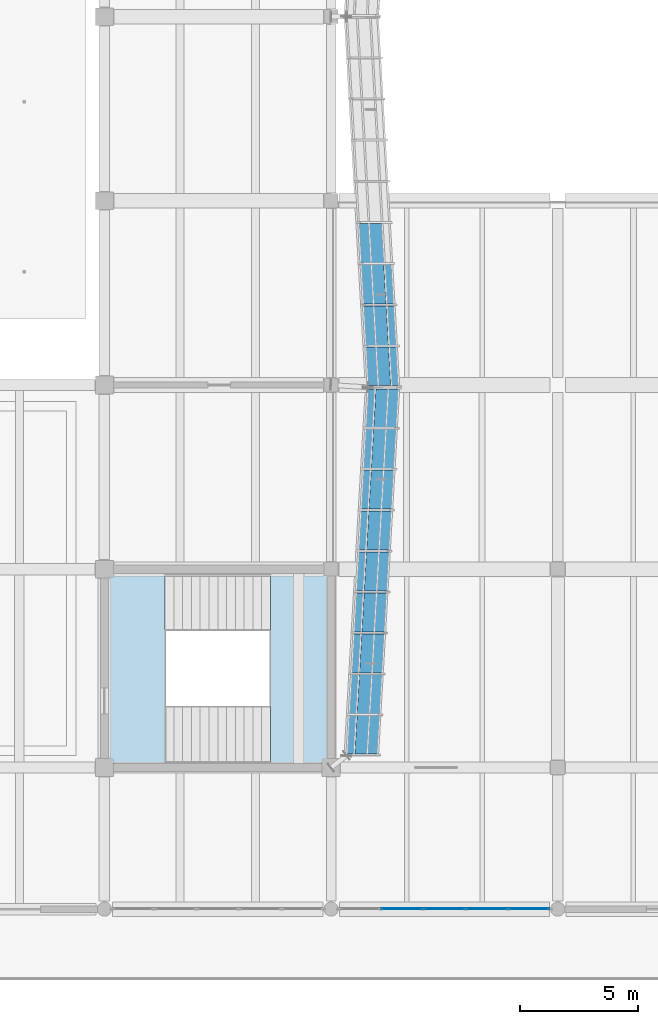
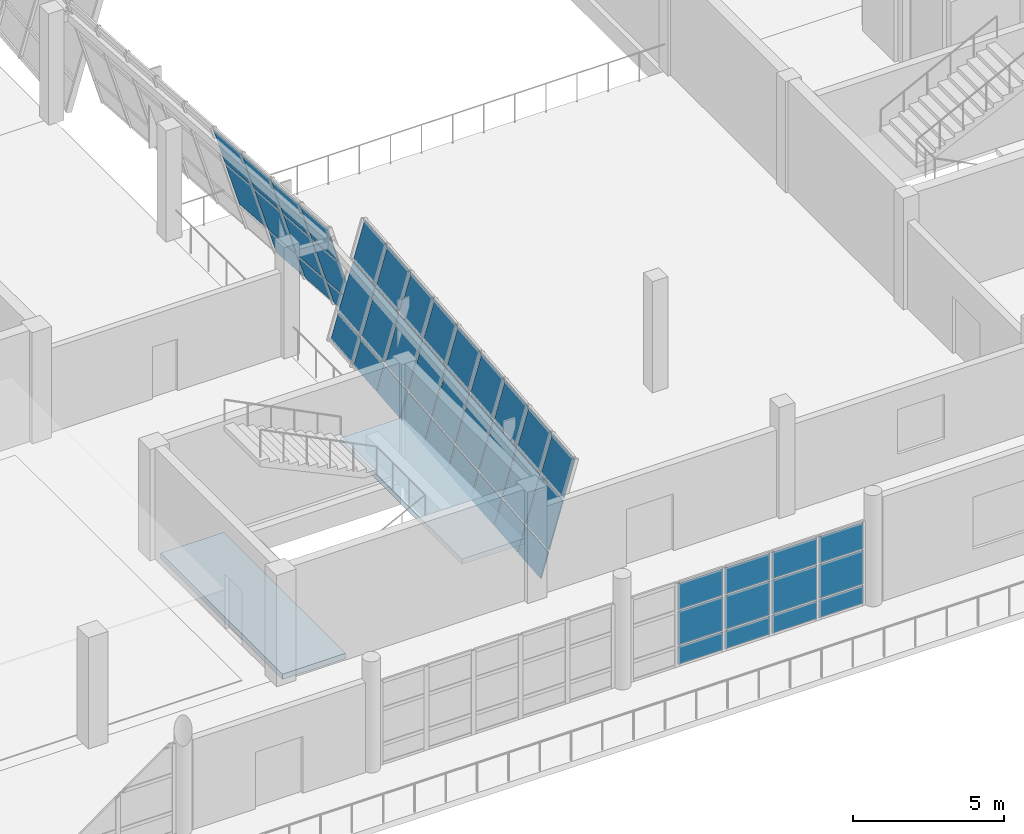
# One storey, part 41 of 71: 50 plates, 2 slabs, 4 elements without a shape of their own.
"""IFC4 building model written with IfcOpenShell, lengths in metres."""

from ifc_helpers import new_model, si_unit, direction, frame, origin, place, context, subcontext, project, spatial, polyline, outline, extrude, material, layer, layer_set, type_object, element, aggregate, save


model = new_model("IFC4")

# Units and contexts
model_context = context("Model", 3, precision=1e-05, world=origin(), true_north=direction((0.0, 1.0)))
body_context = subcontext(model_context, "Body", "Model", "MODEL_VIEW")
ifc_project = project(units=[si_unit("LENGTHUNIT", "METRE"), si_unit("AREAUNIT", "SQUARE_METRE"), si_unit("VOLUMEUNIT", "CUBIC_METRE"), si_unit("PLANEANGLEUNIT", "RADIAN"), si_unit("MASSUNIT", "GRAM", prefix="KILO")], contexts=[model_context])

# Site, building, storey
site_placement = place(None, origin())
site = spatial("IfcSite", under=ifc_project, at=site_placement, CompositionType="ELEMENT")
building_placement = place(site_placement, origin())
building = spatial("IfcBuilding", under=site, at=building_placement, Name="Pellamere Symphony Hall", CompositionType="ELEMENT")
storey_placement = place(building_placement, frame((0.0, 0.0, 15.0)))
storey = spatial("IfcBuildingStorey", under=building, at=storey_placement, Name="L03", CompositionType="ELEMENT", Elevation=15.0)

# Curtain wall, plates
ifc_material_1 = material(Name="Thermally Broken Anodised Aluminium 6063-T6 Curtain Wall", Category="aluminium")
curtain_wall_type_1 = type_object("IfcCurtainWallType", Name="Curtain Wall CW-02 (Winter-Garden South Concourse Curtain Wall)", PredefinedType="NOTDEFINED", material=ifc_material_1)
curtain_wall_1_placement = place(storey_placement, origin())
curtain_wall_1 = element("IfcCurtainWall", 1, at=curtain_wall_1_placement, inside=storey, type_object=curtain_wall_type_1, Name="Winter-Garden South Curtain Wall (L03 Bay 11)", PredefinedType="NOTDEFINED")
ifc_material_2 = material(Name="Triple Low-E Argon Acoustic Glazing 36mm", Category="glass")
ifc_layer_1 = layer(ifc_material_2, 0.035888671875, Name="Triple Low-E Argon Acoustic Glazing 36mm")
ifc_layer_set_1 = layer_set([ifc_layer_1], Name="Triple Low-E Argon Acoustic Glazing 36mm")
plate_type_1 = type_object("IfcPlateType", Name="Facade Panel GL-01 36mm", PredefinedType="CURTAIN_PANEL", material=ifc_layer_set_1)
plate_1_placement = place(storey_placement, frame((120.9326171875, 24.0, 0.06494140625), z_axis=(0.0, -1.0, 0.0), x_axis=(1.0, 0.0, 0.0)))
plate_1 = element("IfcPlate", 2, at=plate_1_placement, type_object=plate_type_1, Name="CW2-094 crystal glass panel 2.1", PredefinedType="CURTAIN_PANEL", context=body_context, shape_type="SweptSolid", body=[
    extrude(outline(polyline([(0.0, 0.0), (1.73486328125, 0.0), (1.73486328125, 0.718505859375), (0.0, 0.718505859375), (0.0, 0.0)])), origin(), (0.0, 0.0, -1.0), 0.035888671875),
])
plate_2_placement = place(storey_placement, frame((120.9326171875, 24.0, 0.848388671875), z_axis=(0.0, -1.0, 0.0), x_axis=(1.0, 0.0, 0.0)))
plate_2 = element("IfcPlate", 3, at=plate_2_placement, type_object=plate_type_1, Name="CW2-094 crystal glass panel 2.2", PredefinedType="CURTAIN_PANEL", context=body_context, shape_type="SweptSolid", body=[
    extrude(outline(polyline([(0.0, 0.0), (1.73486328125, 0.0), (1.73486328125, 1.363037109375), (0.0, 1.363037109375), (0.0, 0.0)])), origin(), (0.0, 0.0, -1.0), 0.035888671875),
])
plate_3_placement = place(storey_placement, frame((120.9326171875, 24.0, 2.276611328125), z_axis=(0.0, -1.0, 0.0), x_axis=(1.0, 0.0, 0.0)))
plate_3 = element("IfcPlate", 4, at=plate_3_placement, type_object=plate_type_1, Name="CW2-094 crystal glass panel 2.3", PredefinedType="CURTAIN_PANEL", context=body_context, shape_type="SweptSolid", body=[
    extrude(outline(polyline([(0.0, 0.0), (1.73486328125, 0.0), (1.73486328125, 1.058349609375), (0.0, 1.058349609375), (0.0, 0.0)])), origin(), (0.0, 0.0, -1.0), 0.035888671875),
])
plate_4_placement = place(storey_placement, frame((122.732421875, 24.0, 0.06494140625), z_axis=(0.0, -1.0, 0.0), x_axis=(1.0, 0.0, 0.0)))
plate_4 = element("IfcPlate", 5, at=plate_4_placement, type_object=plate_type_1, Name="CW2-094 crystal glass panel 3.1", PredefinedType="CURTAIN_PANEL", context=body_context, shape_type="SweptSolid", body=[
    extrude(outline(polyline([(0.0, 0.0), (1.735107421875, 0.0), (1.735107421875, 0.718505859375), (0.0, 0.718505859375), (0.0, 0.0)])), origin(), (0.0, 0.0, -1.0), 0.035888671875),
])
plate_5_placement = place(storey_placement, frame((122.732421875, 24.0, 0.848388671875), z_axis=(0.0, -1.0, 0.0), x_axis=(1.0, 0.0, 0.0)))
plate_5 = element("IfcPlate", 6, at=plate_5_placement, type_object=plate_type_1, Name="CW2-094 crystal glass panel 3.2", PredefinedType="CURTAIN_PANEL", context=body_context, shape_type="SweptSolid", body=[
    extrude(outline(polyline([(0.0, 0.0), (1.735107421875, 0.0), (1.735107421875, 1.363037109375), (0.0, 1.363037109375), (0.0, 0.0)])), origin(), (0.0, 0.0, -1.0), 0.035888671875),
])
plate_6_placement = place(storey_placement, frame((122.732421875, 24.0, 2.276611328125), z_axis=(0.0, -1.0, 0.0), x_axis=(1.0, 0.0, 0.0)))
plate_6 = element("IfcPlate", 7, at=plate_6_placement, type_object=plate_type_1, Name="CW2-094 crystal glass panel 3.3", PredefinedType="CURTAIN_PANEL", context=body_context, shape_type="SweptSolid", body=[
    extrude(outline(polyline([(0.0, 0.0), (1.735107421875, 0.0), (1.735107421875, 1.058349609375), (0.0, 1.058349609375), (0.0, 0.0)])), origin(), (0.0, 0.0, -1.0), 0.035888671875),
])
plate_7_placement = place(storey_placement, frame((124.532470703125, 24.0, 0.06494140625), z_axis=(0.0, -1.0, 0.0), x_axis=(1.0, 0.0, 0.0)))
plate_7 = element("IfcPlate", 8, at=plate_7_placement, type_object=plate_type_1, Name="CW2-094 crystal glass panel 4.1", PredefinedType="CURTAIN_PANEL", context=body_context, shape_type="SweptSolid", body=[
    extrude(outline(polyline([(0.0, 0.0), (1.735107421875, 0.0), (1.735107421875, 0.718505859375), (0.0, 0.718505859375), (0.0, 0.0)])), origin(), (0.0, 0.0, -1.0), 0.035888671875),
])
plate_8_placement = place(storey_placement, frame((124.532470703125, 24.0, 0.848388671875), z_axis=(0.0, -1.0, 0.0), x_axis=(1.0, 0.0, 0.0)))
plate_8 = element("IfcPlate", 9, at=plate_8_placement, type_object=plate_type_1, Name="CW2-094 crystal glass panel 4.2", PredefinedType="CURTAIN_PANEL", context=body_context, shape_type="SweptSolid", body=[
    extrude(outline(polyline([(0.0, 0.0), (1.735107421875, 0.0), (1.735107421875, 1.363037109375), (0.0, 1.363037109375), (0.0, 0.0)])), origin(), (0.0, 0.0, -1.0), 0.035888671875),
])
plate_9_placement = place(storey_placement, frame((124.532470703125, 24.0, 2.276611328125), z_axis=(0.0, -1.0, 0.0), x_axis=(1.0, 0.0, 0.0)))
plate_9 = element("IfcPlate", 10, at=plate_9_placement, type_object=plate_type_1, Name="CW2-094 crystal glass panel 4.3", PredefinedType="CURTAIN_PANEL", context=body_context, shape_type="SweptSolid", body=[
    extrude(outline(polyline([(0.0, 0.0), (1.735107421875, 0.0), (1.735107421875, 1.058349609375), (0.0, 1.058349609375), (0.0, 0.0)])), origin(), (0.0, 0.0, -1.0), 0.035888671875),
])
plate_10_placement = place(storey_placement, frame((126.33251953125, 24.0, 0.06494140625), z_axis=(0.0, -1.0, 0.0), x_axis=(1.0, 0.0, 0.0)))
plate_10 = element("IfcPlate", 11, at=plate_10_placement, type_object=plate_type_1, Name="CW2-094 crystal glass panel 5.1", PredefinedType="CURTAIN_PANEL", context=body_context, shape_type="SweptSolid", body=[
    extrude(outline(polyline([(0.0, 0.0), (1.702392578125, 0.0), (1.702392578125, 0.718505859375), (0.0, 0.718505859375), (0.0, 0.0)])), origin(), (0.0, 0.0, -1.0), 0.035888671875),
])
plate_11_placement = place(storey_placement, frame((126.33251953125, 24.0, 0.848388671875), z_axis=(0.0, -1.0, 0.0), x_axis=(1.0, 0.0, 0.0)))
plate_11 = element("IfcPlate", 12, at=plate_11_placement, type_object=plate_type_1, Name="CW2-094 crystal glass panel 5.2", PredefinedType="CURTAIN_PANEL", context=body_context, shape_type="SweptSolid", body=[
    extrude(outline(polyline([(0.0, 0.0), (1.702392578125, 0.0), (1.702392578125, 1.363037109375), (0.0, 1.363037109375), (0.0, 0.0)])), origin(), (0.0, 0.0, -1.0), 0.035888671875),
])
plate_12_placement = place(storey_placement, frame((126.33251953125, 24.0, 2.276611328125), z_axis=(0.0, -1.0, 0.0), x_axis=(1.0, 0.0, 0.0)))
plate_12 = element("IfcPlate", 13, at=plate_12_placement, type_object=plate_type_1, Name="CW2-094 crystal glass panel 5.3", PredefinedType="CURTAIN_PANEL", context=body_context, shape_type="SweptSolid", body=[
    extrude(outline(polyline([(0.0, 0.0), (1.702392578125, 0.0), (1.702392578125, 1.058349609375), (0.0, 1.058349609375), (0.0, 0.0)])), origin(), (0.0, 0.0, -1.0), 0.035888671875),
])
aggregate(curtain_wall_1, [plate_1, plate_2, plate_3, plate_4, plate_5, plate_6, plate_7, plate_8, plate_9, plate_10, plate_11, plate_12])

curtain_wall_type_2 = type_object("IfcCurtainWallType", Name="Curtain Wall CW-01 (Tilted Faceted Crystal Low-Iron Curtain Wall)", PredefinedType="NOTDEFINED", material=ifc_material_1)
curtain_wall_2_placement = place(storey_placement, origin())
curtain_wall_2 = element("IfcCurtainWall", 14, at=curtain_wall_2_placement, inside=storey, type_object=curtain_wall_type_2, Name="Crystal Faceted Curtain Wall CW-CR06 (L03)", PredefinedType="NOTDEFINED")
ifc_material_3 = material(Name="Triple Laminated Acoustic Crystal Glazing 42mm", Category="glass")
ifc_layer_2 = layer(ifc_material_3, 0.0419921875, Name="Triple Laminated Acoustic Crystal Glazing 42mm")
ifc_layer_set_2 = layer_set([ifc_layer_2], Name="Triple Laminated Acoustic Crystal Glazing 42mm")
plate_type_2 = type_object("IfcPlateType", Name="Facade Panel GL-02 42mm", PredefinedType="CURTAIN_PANEL", material=ifc_layer_set_2)
plate_13_placement = place(storey_placement, frame((119.4755859375, 30.574951171875, 0.072021484375), z_axis=(-0.957305734249, 0.055226404009, 0.283753018441), x_axis=(0.057593652861, 0.998340107954, 0.0)))
plate_13 = element("IfcPlate", 15, at=plate_13_placement, type_object=plate_type_2, Name="CW1-007 crystal glass panel 1.1", PredefinedType="CURTAIN_PANEL", context=body_context, shape_type="SweptSolid", body=[
    extrude(outline(polyline([(0.0, 0.0), (1.6235445180063734, 6.938893903907228e-18), (1.6401364394849838, -1.0135847982305457), (0.016591921478610355, -1.0135847982305457), (0.0, 0.0)])), origin(), (0.0, 0.0, -1.0), 0.0419921875),
])
plate_14_placement = place(storey_placement, frame((119.784912109375, 30.574951171875, 1.115966796875), z_axis=(-0.95735286075, 0.055229122709, 0.283593448478), x_axis=(0.057593652861, 0.998340107954, 0.0)))
plate_14 = element("IfcPlate", 16, at=plate_14_placement, type_object=plate_type_2, Name="CW1-007 crystal glass panel 1.2", PredefinedType="CURTAIN_PANEL", context=body_context, shape_type="SweptSolid", body=[
    extrude(outline(polyline([(0.0, 0.0), (1.6235445180063734, 0.0), (1.6545629746011314, -1.8959543902528653), (0.031018456594758003, -1.8959543902528653), (0.0, 0.0)])), origin(), (0.0, 0.0, -1.0), 0.0419921875),
])
plate_15_placement = place(storey_placement, frame((120.3447265625, 30.574951171875, 3.005859375), z_axis=(-0.957331455503, 0.055227887853, 0.283665938575), x_axis=(0.057593652861, 0.998340107954, 0.0)))
plate_15 = element("IfcPlate", 17, at=plate_15_placement, type_object=plate_type_2, Name="CW1-007 crystal glass panel 1.3", PredefinedType="CURTAIN_PANEL", context=body_context, shape_type="SweptSolid", body=[
    extrude(outline(polyline([(0.0, 0.0), (1.6235445180063734, 3.469446951953614e-18), (1.6478137184064425, -1.4830376336367266), (0.024269200400069045, -1.4830376336367266), (0.0, 0.0)])), origin(), (0.0, 0.0, -1.0), 0.0419921875),
])
plate_16_placement = place(storey_placement, frame((119.573486328125, 32.270751953125, 0.072021484375), z_axis=(-0.95737017047, 0.055246445874, 0.283531633003), x_axis=(0.057610619545, 0.998339129012, 0.0)))
plate_16 = element("IfcPlate", 18, at=plate_16_placement, type_object=plate_type_2, Name="CW1-007 crystal glass panel 2.1", PredefinedType="CURTAIN_PANEL", context=body_context, shape_type="SweptSolid", body=[
    extrude(outline(polyline([(0.0, 0.0), (1.6612063149993754, 3.469446951953614e-18), (1.6777890592484324, -1.0135155846352601), (0.0165827442490568, -1.0135155846352604), (0.0, 0.0)])), origin(), (0.0, 0.0, -1.0), 0.0419921875),
])
plate_17_placement = place(storey_placement, frame((119.8828125, 32.270751953125, 1.115966796875), z_axis=(-0.957351997497, 0.055245397176, 0.283593192759), x_axis=(0.057610619545, 0.998339129012, 0.0)))
plate_17 = element("IfcPlate", 19, at=plate_17_placement, type_object=plate_type_2, Name="CW1-007 crystal glass panel 2.2", PredefinedType="CURTAIN_PANEL", context=body_context, shape_type="SweptSolid", body=[
    extrude(outline(polyline([(0.0, 0.0), (1.6612063149993754, 3.469446951953614e-18), (1.6922339094127932, -1.8959542407330272), (0.031027594413417556, -1.8959542407330272), (0.0, 0.0)])), origin(), (0.0, 0.0, -1.0), 0.0419921875),
])
plate_18_placement = place(storey_placement, frame((120.442626953125, 32.270751953125, 3.005859375), z_axis=(-0.957375213306, 0.055246736879, 0.283514548147), x_axis=(0.057610619545, 0.998339129012, 0.0)))
plate_18 = element("IfcPlate", 20, at=plate_18_placement, type_object=plate_type_2, Name="CW1-007 crystal glass panel 2.3", PredefinedType="CURTAIN_PANEL", context=body_context, shape_type="SweptSolid", body=[
    extrude(outline(polyline([(0.0, 0.0), (1.6612063149993754, 6.938893903907228e-18), (1.685468599842143, -1.482968395744147), (0.02426228484276758, -1.482968395744147), (0.0, 0.0)])), origin(), (0.0, 0.0, -1.0), 0.0419921875),
])
plate_19_placement = place(storey_placement, frame((119.67333984375, 34.004150390625, 0.072021484375), z_axis=(-0.957304871124, 0.05524267768, 0.283752762604), x_axis=(0.057610619545, 0.998339129012, 0.0)))
plate_19 = element("IfcPlate", 21, at=plate_19_placement, type_object=plate_type_2, Name="CW1-007 crystal glass panel 3.1", PredefinedType="CURTAIN_PANEL", context=body_context, shape_type="SweptSolid", body=[
    extrude(outline(polyline([(0.0, 0.0), (1.6612063149993754, 0.0), (1.677803124341095, -1.0135847182066644), (0.01659680934171927, -1.0135847182066644), (0.0, 0.0)])), origin(), (0.0, 0.0, -1.0), 0.0419921875),
])
plate_20_placement = place(storey_placement, frame((119.982666015625, 34.004150390625, 1.115966796875), z_axis=(-0.957351997497, 0.055245397176, 0.283593192759), x_axis=(0.057610619545, 0.998339129012, 0.0)))
plate_20 = element("IfcPlate", 22, at=plate_20_placement, type_object=plate_type_2, Name="CW1-007 crystal glass panel 3.2", PredefinedType="CURTAIN_PANEL", context=body_context, shape_type="SweptSolid", body=[
    extrude(outline(polyline([(0.0, 0.0), (1.6612063149993754, 3.469446951953614e-18), (1.6922339094127932, -1.8959542407330272), (0.031027594413417556, -1.8959542407330272), (0.0, 0.0)])), origin(), (0.0, 0.0, -1.0), 0.0419921875),
])
plate_21_placement = place(storey_placement, frame((120.54248046875, 34.004150390625, 3.005859375), z_axis=(-0.957330592308, 0.055244161959, 0.283665682802), x_axis=(0.057610619545, 0.998339129012, 0.0)))
plate_21 = element("IfcPlate", 23, at=plate_21_placement, type_object=plate_type_2, Name="CW1-007 crystal glass panel 3.3", PredefinedType="CURTAIN_PANEL", context=body_context, shape_type="SweptSolid", body=[
    extrude(outline(polyline([(0.0, 0.0), (1.6612063149993754, 0.0), (1.6854826649348056, -1.4830375166207674), (0.024276349935430055, -1.4830375166207674), (0.0, 0.0)])), origin(), (0.0, 0.0, -1.0), 0.0419921875),
])
plate_22_placement = place(storey_placement, frame((119.7734375, 35.737548828125, 0.072021484375), z_axis=(-0.957304871124, 0.05524267768, 0.283752762604), x_axis=(0.057610619545, 0.998339129012, 0.0)))
plate_22 = element("IfcPlate", 24, at=plate_22_placement, type_object=plate_type_2, Name="CW1-007 crystal glass panel 4.1", PredefinedType="CURTAIN_PANEL", context=body_context, shape_type="SweptSolid", body=[
    extrude(outline(polyline([(0.0, 0.0), (1.6612063149993754, 0.0), (1.677803124341095, -1.0135847182066644), (0.01659680934171927, -1.0135847182066644), (0.0, 0.0)])), origin(), (0.0, 0.0, -1.0), 0.0419921875),
])
plate_23_placement = place(storey_placement, frame((120.082763671875, 35.737548828125, 1.115966796875), z_axis=(-0.957351997497, 0.055245397176, 0.283593192759), x_axis=(0.057610619545, 0.998339129012, 0.0)))
plate_23 = element("IfcPlate", 25, at=plate_23_placement, type_object=plate_type_2, Name="CW1-007 crystal glass panel 4.2", PredefinedType="CURTAIN_PANEL", context=body_context, shape_type="SweptSolid", body=[
    extrude(outline(polyline([(0.0, 0.0), (1.6612063149993754, 3.469446951953614e-18), (1.6922339094127932, -1.8959542407330272), (0.031027594413417556, -1.8959542407330272), (0.0, 0.0)])), origin(), (0.0, 0.0, -1.0), 0.0419921875),
])
plate_24_placement = place(storey_placement, frame((120.642578125, 35.737548828125, 3.005859375), z_axis=(-0.957356629816, 0.055175198082, 0.283591221416), x_axis=(0.057543270249, 0.998343013023, 1.9950465e-05)))
plate_24 = element("IfcPlate", 26, at=plate_24_placement, type_object=plate_type_2, Name="CW1-007 crystal glass panel 4.3", PredefinedType="CURTAIN_PANEL", context=body_context, shape_type="SweptSolid", body=[
    extrude(outline(polyline([(0.0, 0.0), (1.661206310888692, 0.0), (1.6854686040128641, -1.4829683910039115), (0.024276341774135235, -1.4830375121498305), (0.0, 0.0)])), origin(), (0.0, 0.0, -1.0), 0.0419921875),
])
plate_25_placement = place(storey_placement, frame((119.87353515625, 37.470703125, 0.072021484375), z_axis=(-0.95737017047, 0.055246445874, 0.283531633003), x_axis=(0.057610619545, 0.998339129012, 0.0)))
plate_25 = element("IfcPlate", 27, at=plate_25_placement, type_object=plate_type_2, Name="CW1-007 crystal glass panel 5.1", PredefinedType="CURTAIN_PANEL", context=body_context, shape_type="SweptSolid", body=[
    extrude(outline(polyline([(0.0, 0.0), (1.6612063149993754, 3.469446951953614e-18), (1.6777890592484324, -1.0135155846352601), (0.0165827442490568, -1.0135155846352604), (0.0, 0.0)])), origin(), (0.0, 0.0, -1.0), 0.0419921875),
])
plate_26_placement = place(storey_placement, frame((120.1826171875, 37.470703125, 1.115966796875), z_axis=(-0.957351997497, 0.055245397176, 0.283593192759), x_axis=(0.057610619545, 0.998339129012, 0.0)))
plate_26 = element("IfcPlate", 28, at=plate_26_placement, type_object=plate_type_2, Name="CW1-007 crystal glass panel 5.2", PredefinedType="CURTAIN_PANEL", context=body_context, shape_type="SweptSolid", body=[
    extrude(outline(polyline([(0.0, 0.0), (1.6612063149993754, 3.469446951953614e-18), (1.6922339094127932, -1.8959542407330272), (0.031027594413417556, -1.8959542407330272), (0.0, 0.0)])), origin(), (0.0, 0.0, -1.0), 0.0419921875),
])
plate_27_placement = place(storey_placement, frame((120.74267578125, 37.470703125, 3.005859375), z_axis=(-0.957375213306, 0.055246736879, 0.283514548147), x_axis=(0.057610619545, 0.998339129012, 0.0)))
plate_27 = element("IfcPlate", 29, at=plate_27_placement, type_object=plate_type_2, Name="CW1-007 crystal glass panel 5.3", PredefinedType="CURTAIN_PANEL", context=body_context, shape_type="SweptSolid", body=[
    extrude(outline(polyline([(0.0, 0.0), (1.6612063149993754, 6.938893903907228e-18), (1.685468599842143, -1.482968395744147), (0.02426228484276758, -1.482968395744147), (0.0, 0.0)])), origin(), (0.0, 0.0, -1.0), 0.0419921875),
])
plate_28_placement = place(storey_placement, frame((119.973388671875, 39.2041015625, 0.072021484375), z_axis=(-0.957304871124, 0.05524267768, 0.283752762604), x_axis=(0.057610619545, 0.998339129012, 0.0)))
plate_28 = element("IfcPlate", 30, at=plate_28_placement, type_object=plate_type_2, Name="CW1-007 crystal glass panel 6.1", PredefinedType="CURTAIN_PANEL", context=body_context, shape_type="SweptSolid", body=[
    extrude(outline(polyline([(0.0, 0.0), (1.6612063149993754, 0.0), (1.677803124341095, -1.0135847182066644), (0.01659680934171927, -1.0135847182066644), (0.0, 0.0)])), origin(), (0.0, 0.0, -1.0), 0.0419921875),
])
plate_29_placement = place(storey_placement, frame((120.28271484375, 39.2041015625, 1.115966796875), z_axis=(-0.957351997497, 0.055245397176, 0.283593192759), x_axis=(0.057610619545, 0.998339129012, 0.0)))
plate_29 = element("IfcPlate", 31, at=plate_29_placement, type_object=plate_type_2, Name="CW1-007 crystal glass panel 6.2", PredefinedType="CURTAIN_PANEL", context=body_context, shape_type="SweptSolid", body=[
    extrude(outline(polyline([(0.0, 0.0), (1.6612063149993754, 3.469446951953614e-18), (1.6922339094127932, -1.8959542407330272), (0.031027594413417556, -1.8959542407330272), (0.0, 0.0)])), origin(), (0.0, 0.0, -1.0), 0.0419921875),
])
plate_30_placement = place(storey_placement, frame((120.842529296875, 39.2041015625, 3.005859375), z_axis=(-0.957330592308, 0.055244161959, 0.283665682802), x_axis=(0.057610619545, 0.998339129012, 0.0)))
plate_30 = element("IfcPlate", 32, at=plate_30_placement, type_object=plate_type_2, Name="CW1-007 crystal glass panel 6.3", PredefinedType="CURTAIN_PANEL", context=body_context, shape_type="SweptSolid", body=[
    extrude(outline(polyline([(0.0, 0.0), (1.6612063149993754, 0.0), (1.6854826649348056, -1.4830375166207674), (0.024276349935430055, -1.4830375166207674), (0.0, 0.0)])), origin(), (0.0, 0.0, -1.0), 0.0419921875),
])
plate_31_placement = place(storey_placement, frame((120.073486328125, 40.9375, 0.072021484375), z_axis=(-0.95737017047, 0.055246445874, 0.283531633003), x_axis=(0.057610619545, 0.998339129012, 0.0)))
plate_31 = element("IfcPlate", 33, at=plate_31_placement, type_object=plate_type_2, Name="CW1-007 crystal glass panel 7.1", PredefinedType="CURTAIN_PANEL", context=body_context, shape_type="SweptSolid", body=[
    extrude(outline(polyline([(0.0, 0.0), (1.6612063149993754, 3.469446951953614e-18), (1.6777890592484324, -1.0135155846352601), (0.0165827442490568, -1.0135155846352604), (0.0, 0.0)])), origin(), (0.0, 0.0, -1.0), 0.0419921875),
])
plate_32_placement = place(storey_placement, frame((120.3828125, 40.9375, 1.115966796875), z_axis=(-0.957351997497, 0.055245397176, 0.283593192759), x_axis=(0.057610619545, 0.998339129012, 0.0)))
plate_32 = element("IfcPlate", 34, at=plate_32_placement, type_object=plate_type_2, Name="CW1-007 crystal glass panel 7.2", PredefinedType="CURTAIN_PANEL", context=body_context, shape_type="SweptSolid", body=[
    extrude(outline(polyline([(0.0, 0.0), (1.6612063149993754, 3.469446951953614e-18), (1.6922339094127932, -1.8959542407330272), (0.031027594413417556, -1.8959542407330272), (0.0, 0.0)])), origin(), (0.0, 0.0, -1.0), 0.0419921875),
])
plate_33_placement = place(storey_placement, frame((120.942626953125, 40.9375, 3.005859375), z_axis=(-0.957375213306, 0.055246736879, 0.283514548147), x_axis=(0.057610619545, 0.998339129012, 0.0)))
plate_33 = element("IfcPlate", 35, at=plate_33_placement, type_object=plate_type_2, Name="CW1-007 crystal glass panel 7.3", PredefinedType="CURTAIN_PANEL", context=body_context, shape_type="SweptSolid", body=[
    extrude(outline(polyline([(0.0, 0.0), (1.6612063149993754, 6.938893903907228e-18), (1.685468599842143, -1.482968395744147), (0.02426228484276758, -1.482968395744147), (0.0, 0.0)])), origin(), (0.0, 0.0, -1.0), 0.0419921875),
])
plate_34_placement = place(storey_placement, frame((120.17333984375, 42.670654296875, 0.072021484375), z_axis=(-0.957305301098, 0.055234571391, 0.283752890052), x_axis=(0.057602168051, 0.998339616682, 0.0)))
plate_34 = element("IfcPlate", 36, at=plate_34_placement, type_object=plate_type_2, Name="CW1-007 crystal glass panel 8.1", PredefinedType="CURTAIN_PANEL", context=body_context, shape_type="SweptSolid", body=[
    extrude(outline(polyline([(0.0, 0.0), (1.6614500501978287, 3.469446951953614e-18), (1.6780444247828616, -1.0135847580713415), (0.01659437458503302, -1.0135847580713415), (0.0, 0.0)])), origin(), (0.0, 0.0, -1.0), 0.0419921875),
])
plate_35_placement = place(storey_placement, frame((120.482666015625, 42.670654296875, 1.115966796875), z_axis=(-0.957352427535, 0.055237290491, 0.283593320148), x_axis=(0.057602168051, 0.998339616682, 0.0)))
plate_35 = element("IfcPlate", 37, at=plate_35_placement, type_object=plate_type_2, Name="CW1-007 crystal glass panel 8.2", PredefinedType="CURTAIN_PANEL", context=body_context, shape_type="SweptSolid", body=[
    extrude(outline(polyline([(0.0, 0.0), (1.6614500501978287, 3.469446951953614e-18), (1.6924730928542548, -1.8959543152177933), (0.031023042656426136, -1.8959543152177933), (0.0, 0.0)])), origin(), (0.0, 0.0, -1.0), 0.0419921875),
])
plate_36_placement = place(storey_placement, frame((121.04248046875, 42.670654296875, 3.005859375), z_axis=(-0.957331022317, 0.055236055453, 0.283665810218), x_axis=(0.057602168051, 0.998339616682, 0.0)))
plate_36 = element("IfcPlate", 38, at=plate_36_placement, type_object=plate_type_2, Name="CW1-007 crystal glass panel 8.3", PredefinedType="CURTAIN_PANEL", context=body_context, shape_type="SweptSolid", body=[
    extrude(outline(polyline([(0.0, 0.0), (1.6614500501978287, -6.938893903907228e-18), (1.6857228387857668, -1.483037574913409), (0.02427278858793813, -1.483037574913409), (0.0, 0.0)])), origin(), (0.0, 0.0, -1.0), 0.0419921875),
])
plate_37_placement = place(storey_placement, frame((120.2734375, 44.404052734375, 0.072021484375), z_axis=(-0.957306173936, 0.055218112141, 0.283753148768), x_axis=(0.057585007883, 0.99834060664, 0.0)))
plate_37 = element("IfcPlate", 39, at=plate_37_placement, type_object=plate_type_2, Name="CW1-007 crystal glass panel 9.1", PredefinedType="CURTAIN_PANEL", context=body_context, shape_type="SweptSolid", body=[
    extrude(outline(polyline([(0.0, 0.0), (1.6237882534451713, 3.469446951953614e-18), (1.640377684427097, -1.0135848389957818), (0.016589430981925515, -1.0135848389957818), (0.0, 0.0)])), origin(), (0.0, 0.0, -1.0), 0.0419921875),
])
plate_38_placement = place(storey_placement, frame((120.582763671875, 44.404052734375, 1.115966796875), z_axis=(-0.957353300502, 0.055220830436, 0.283593578744), x_axis=(0.057585007883, 0.99834060664, 0.0)))
plate_38 = element("IfcPlate", 40, at=plate_38_placement, type_object=plate_type_2, Name="CW1-007 crystal glass panel 9.2", PredefinedType="CURTAIN_PANEL", context=body_context, shape_type="SweptSolid", body=[
    extrude(outline(polyline([(0.0, 0.0), (1.6237882534451713, 3.469446951953614e-18), (1.654802054077483, -1.895954466420271), (0.031013800632311597, -1.895954466420271), (0.0, 0.0)])), origin(), (0.0, 0.0, -1.0), 0.0419921875),
])
plate_39_placement = place(storey_placement, frame((121.142578125, 44.404052734375, 3.005859375), z_axis=(-0.957331895226, 0.055219595764, 0.283666068869), x_axis=(0.057585007883, 0.99834060664, 0.0)))
plate_39 = element("IfcPlate", 41, at=plate_39_placement, type_object=plate_type_2, Name="CW1-007 crystal glass panel 9.3", PredefinedType="CURTAIN_PANEL", context=body_context, shape_type="SweptSolid", body=[
    extrude(outline(polyline([(0.0, 0.0), (1.6237882534451713, 0.0), (1.6480538109661913, -1.483037693246222), (0.024265557521019863, -1.483037693246222), (0.0, 0.0)])), origin(), (0.0, 0.0, -1.0), 0.0419921875),
])
aggregate(curtain_wall_2, [plate_13, plate_14, plate_15, plate_16, plate_17, plate_18, plate_19, plate_20, plate_21, plate_22, plate_23, plate_24, plate_25, plate_26, plate_27, plate_28, plate_29, plate_30, plate_31, plate_32, plate_33, plate_34, plate_35, plate_36, plate_37, plate_38, plate_39])

curtain_wall_3_placement = place(storey_placement, origin())
curtain_wall_3 = element("IfcCurtainWall", 42, at=curtain_wall_3_placement, inside=storey, type_object=curtain_wall_type_2, Name="Crystal Faceted Curtain Wall CW-CR07 (L03)", PredefinedType="NOTDEFINED")
plate_40_placement = place(storey_placement, frame((121.657470703125, 46.1748046875, 0.072021484375), z_axis=(0.95732575671, 0.054847534004, 0.283758953257), x_axis=(-0.057198647566, 0.998362817175, 0.0)))
plate_40 = element("IfcPlate", 43, at=plate_40_placement, type_object=plate_type_2, Name="CW1-010 crystal glass panel 1.1", PredefinedType="CURTAIN_PANEL", context=body_context, shape_type="SweptSolid", body=[
    extrude(outline(polyline([(0.0, 0.0), (1.6347564733470132, 3.469446951953614e-18), (1.6512345993547588, 1.013586654620946), (0.016478126007745692, 1.013586654620946), (0.0, 0.0)])), origin(), (0.0, 0.0, -1.0), 0.0419921875),
])
plate_41_placement = place(storey_placement, frame((121.34814453125, 46.1748046875, 1.115966796875), z_axis=(0.957372886168, 0.054850234166, 0.283599380541), x_axis=(-0.057198647566, 0.998362817175, 0.0)))
plate_41 = element("IfcPlate", 44, at=plate_41_placement, type_object=plate_type_2, Name="CW1-010 crystal glass panel 1.2", PredefinedType="CURTAIN_PANEL", context=body_context, shape_type="SweptSolid", body=[
    extrude(outline(polyline([(0.0, 0.0), (1.6347564733470132, 0.0), (1.665562190273358, 1.8959578588073336), (0.03080571692634491, 1.8959578588073336), (0.0, 0.0)])), origin(), (0.0, 0.0, -1.0), 0.0419921875),
])
plate_42_placement = place(storey_placement, frame((120.788330078125, 46.1748046875, 3.005859375), z_axis=(0.957351479578, 0.05484900773, 0.283671871889), x_axis=(-0.057198647566, 0.998362817175, 0.0)))
plate_42 = element("IfcPlate", 45, at=plate_42_placement, type_object=plate_type_2, Name="CW1-010 crystal glass panel 1.3", PredefinedType="CURTAIN_PANEL", context=body_context, shape_type="SweptSolid", body=[
    extrude(outline(polyline([(0.0, 0.0), (1.6347564733470132, -3.469446951953614e-18), (1.6588592237617328, 1.4830403481676844), (0.024102750414719543, 1.4830403481676844), (0.0, 0.0)])), origin(), (0.0, 0.0, -1.0), 0.0419921875),
])
plate_43_placement = place(storey_placement, frame((121.5595703125, 47.8818359375, 0.072021484375), z_axis=(0.957324455748, 0.054872230831, 0.283758567642), x_axis=(-0.057224396245, 0.998361341637, 0.0)))
plate_43 = element("IfcPlate", 46, at=plate_43_placement, type_object=plate_type_2, Name="CW1-010 crystal glass panel 2.1", PredefinedType="CURTAIN_PANEL", context=body_context, shape_type="SweptSolid", body=[
    extrude(outline(polyline([(0.0, 0.0), (1.6724182565382377, 0.0), (1.6889038003784336, 1.0135865340002803), (0.016485543840195648, 1.0135865340002805), (0.0, 0.0)])), origin(), (0.0, 0.0, -1.0), 0.0419921875),
])
plate_44_placement = place(storey_placement, frame((121.250244140625, 47.8818359375, 1.115966796875), z_axis=(0.957371585014, 0.054874932201, 0.283598995104), x_axis=(-0.057224396245, 0.998361341637, 0.0)))
plate_44 = element("IfcPlate", 47, at=plate_44_placement, type_object=plate_type_2, Name="CW1-010 crystal glass panel 2.2", PredefinedType="CURTAIN_PANEL", context=body_context, shape_type="SweptSolid", body=[
    extrude(outline(polyline([(0.0, 0.0), (1.6724182565382377, 3.469446951953614e-18), (1.703237841039485, 1.895957633434831), (0.030819584501247117, 1.895957633434831), (0.0, 0.0)])), origin(), (0.0, 0.0, -1.0), 0.0419921875),
])
plate_45_placement = place(storey_placement, frame((120.6904296875, 47.8818359375, 3.005859375), z_axis=(0.957350178511, 0.054873705217, 0.283671486371), x_axis=(-0.057224396245, 0.998361341637, 0.0)))
plate_45 = element("IfcPlate", 48, at=plate_45_placement, type_object=plate_type_2, Name="CW1-010 crystal glass panel 2.3", PredefinedType="CURTAIN_PANEL", context=body_context, shape_type="SweptSolid", body=[
    extrude(outline(polyline([(0.0, 0.0), (1.6724182565382377, 3.469446951953614e-18), (1.69653185710449, 1.48304017178855), (0.024113600566252277, 1.48304017178855), (0.0, 0.0)])), origin(), (0.0, 0.0, -1.0), 0.0419921875),
])
plate_46_placement = place(storey_placement, frame((121.45947265625, 49.626220703125, 0.072021484375), z_axis=(0.957389759102, 0.05487597391, 0.283537434308), x_axis=(-0.057224396245, 0.998361341637, 0.0)))
plate_46 = element("IfcPlate", 49, at=plate_46_placement, type_object=plate_type_2, Name="CW1-010 crystal glass panel 3.1", PredefinedType="CURTAIN_PANEL", context=body_context, shape_type="SweptSolid", body=[
    extrude(outline(polyline([(0.0, 0.0), (1.6724182565382377, 0.0), (1.6888898295785688, 1.0135173974762153), (0.016471573040331075, 1.0135173974762153), (0.0, 0.0)])), origin(), (0.0, 0.0, -1.0), 0.0419921875),
])
plate_47_placement = place(storey_placement, frame((121.150390625, 49.626220703125, 1.115966796875), z_axis=(0.957371585014, 0.054874932201, 0.283598995104), x_axis=(-0.057224396245, 0.998361341637, 0.0)))
plate_47 = element("IfcPlate", 50, at=plate_47_placement, type_object=plate_type_2, Name="CW1-010 crystal glass panel 3.2", PredefinedType="CURTAIN_PANEL", context=body_context, shape_type="SweptSolid", body=[
    extrude(outline(polyline([(0.0, 0.0), (1.6724182565382377, 3.469446951953614e-18), (1.703237841039485, 1.895957633434831), (0.030819584501247117, 1.895957633434831), (0.0, 0.0)])), origin(), (0.0, 0.0, -1.0), 0.0419921875),
])
plate_48_placement = place(storey_placement, frame((120.59033203125, 49.626220703125, 3.005859375), z_axis=(0.957394802248, 0.054876262974, 0.283520349164), x_axis=(-0.057224396245, 0.998361341637, 0.0)))
plate_48 = element("IfcPlate", 51, at=plate_48_placement, type_object=plate_type_2, Name="CW1-010 crystal glass panel 3.3", PredefinedType="CURTAIN_PANEL", context=body_context, shape_type="SweptSolid", body=[
    extrude(outline(polyline([(0.0, 0.0), (1.6724182565382377, -3.469446951953614e-18), (1.6965178863046255, 1.482971047959765), (0.024099629766387704, 1.482971047959765), (0.0, 0.0)])), origin(), (0.0, 0.0, -1.0), 0.0419921875),
])
plate_49_placement = place(storey_placement, frame((121.05029296875, 51.370849609375, 1.115966796875), z_axis=(0.957371163384, 0.054882933028, 0.283598870206), x_axis=(-0.057232737422, 0.998360863499, 0.0)))
plate_49 = element("IfcPlate", 52, at=plate_49_placement, type_object=plate_type_2, Name="CW1-010 crystal glass panel 4.2", PredefinedType="CURTAIN_PANEL", context=body_context, shape_type="SweptSolid", body=[
    extrude(outline(polyline([(0.0, 0.0), (1.6721745160346768, 3.469446951953614e-18), (1.7029985928786633, 1.8959575604045968), (0.030824076843986373, 1.895957560404597), (0.0, 0.0)])), origin(), (0.0, 0.0, -1.0), 0.0419921875),
])
plate_50_placement = place(storey_placement, frame((120.490478515625, 51.370849609375, 3.005859375), z_axis=(0.95734975691, 0.054881705866, 0.283671361447), x_axis=(-0.057232737422, 0.998360863499, 0.0)))
plate_50 = element("IfcPlate", 53, at=plate_50_placement, type_object=plate_type_2, Name="CW1-010 crystal glass panel 4.3", PredefinedType="CURTAIN_PANEL", context=body_context, shape_type="SweptSolid", body=[
    extrude(outline(polyline([(0.0, 0.0), (1.6721745160346768, -3.469446951953614e-18), (1.6962916314620207, 1.4830401146342416), (0.024117115427343825, 1.4830401146342416), (0.0, 0.0)])), origin(), (0.0, 0.0, -1.0), 0.0419921875),
])
aggregate(curtain_wall_3, [plate_40, plate_41, plate_42, plate_43, plate_44, plate_45, plate_46, plate_47, plate_48, plate_49, plate_50])

# Stair, slabs
ifc_material_4 = material(Name="Concrete 40 MPa", Category="concrete")
stair_type = type_object("IfcStairType", Name="Stair ST-A W2400", PredefinedType="HALF_TURN_STAIR", material=ifc_material_4)
stair_placement = place(storey_placement, origin())
stair = element("IfcStair", 54, at=stair_placement, inside=storey, type_object=stair_type, Name="Exit Stair ST08-L03 (L03 to L04)", PredefinedType="HALF_TURN_STAIR")
ifc_layer_3 = layer(ifc_material_4, 0.219970703125, Name="Concrete 40 MPa")
ifc_layer_set_3 = layer_set([ifc_layer_3], Name="Concrete 40 MPa")
slab_type = type_object("IfcSlabType", Name="Stair Landing SL-01 220mm", PredefinedType="LANDING", material=ifc_layer_set_3)
slab_1_placement = place(storey_placement, frame((0.0, 0.0, -0.219970703125)))
slab_1 = element("IfcSlab", 55, at=slab_1_placement, type_object=slab_type, Name="Stair ST08-L03 Bottom Landing (L03)", PredefinedType="LANDING", context=body_context, shape_type="SweptSolid", body=[
    extrude(outline(polyline([(109.360107421875, 30.159912109375), (111.77490234375, 30.159912109375), (111.77490234375, 38.239990234375), (109.360107421875, 38.239990234375), (109.360107421875, 30.159912109375)])), origin(), (0.0, 0.0, 1.0), 0.219970703125),
])
slab_2_placement = place(storey_placement, frame((0.0, 0.0, 2.030029296875)))
slab_2 = element("IfcSlab", 56, at=slab_2_placement, type_object=slab_type, Name="Stair ST08-L03 Half Landing (L03)", PredefinedType="LANDING", context=body_context, shape_type="SweptSolid", body=[
    extrude(outline(polyline([(116.22509765625, 30.159912109375), (118.639892578125, 30.159912109375), (118.639892578125, 38.239990234375), (116.22509765625, 38.239990234375), (116.22509765625, 30.159912109375)])), origin(), (0.0, 0.0, 1.0), 0.219970703125),
])
aggregate(stair, [slab_1, slab_2])

save(model, "model.ifc")
